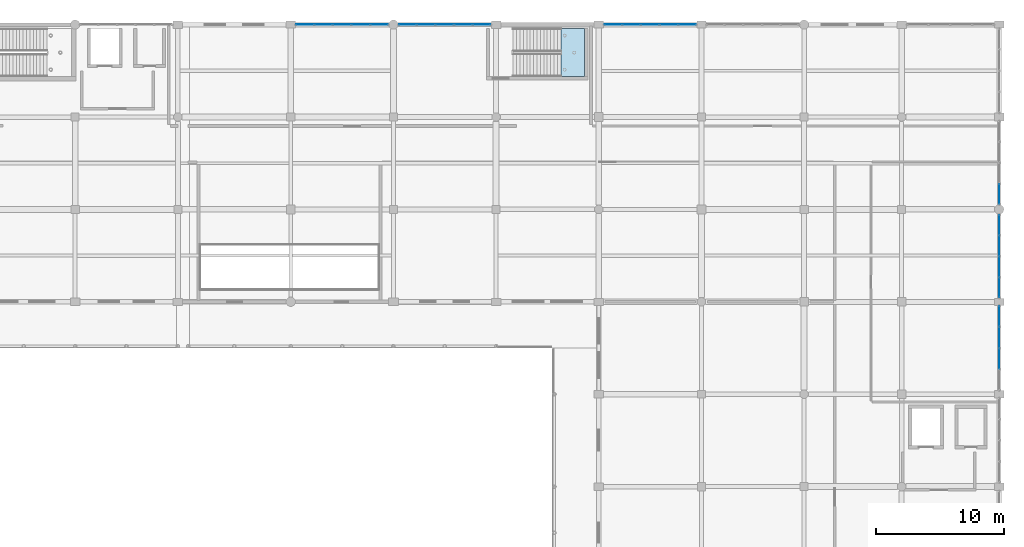
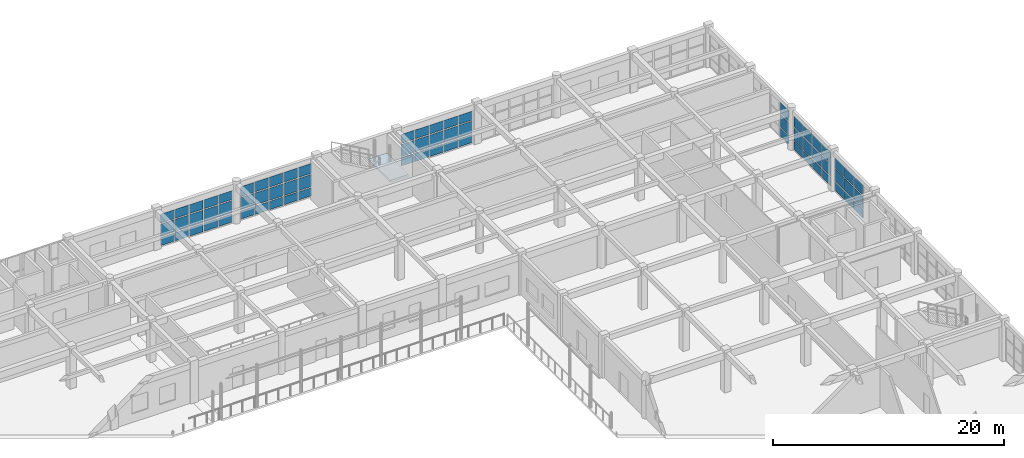
# One storey, part 120 of 160: 69 plates, 1 slab, 7 elements without a shape of their own.
"""IFC4 building model written with IfcOpenShell, lengths in metres."""

from ifc_helpers import new_model, si_unit, direction, frame, origin, origin_2d, place, context, subcontext, project, spatial, polyline, rectangle, outline, extrude, material, layer, layer_set, type_object, element, aggregate, save


model = new_model("IFC4")

# Units and contexts
model_context = context("Model", 3, precision=1e-05, world=origin(), true_north=direction((0.0, 1.0)))
body_context = subcontext(model_context, "Body", "Model", "MODEL_VIEW")
ifc_project = project(units=[si_unit("LENGTHUNIT", "METRE"), si_unit("AREAUNIT", "SQUARE_METRE"), si_unit("VOLUMEUNIT", "CUBIC_METRE"), si_unit("PLANEANGLEUNIT", "RADIAN"), si_unit("MASSUNIT", "GRAM", prefix="KILO")], contexts=[model_context])

# Site, building, storey
site_placement = place(None, origin())
site = spatial("IfcSite", under=ifc_project, at=site_placement, CompositionType="ELEMENT")
building_placement = place(site_placement, origin())
building = spatial("IfcBuilding", under=site, at=building_placement, Name="Kharva Crest Polytechnic", CompositionType="ELEMENT")
storey_placement = place(building_placement, frame((0.0, 0.0, 4.5)))
storey = spatial("IfcBuildingStorey", under=building, at=storey_placement, Name="L01", CompositionType="ELEMENT", Elevation=4.5)

# Curtain wall, plates
ifc_material_1 = material(Name="Tempered insulated glass", Category="glass")
curtain_wall_type = type_object("IfcCurtainWallType", Name="CW-SYS-COURT", PredefinedType="USERDEFINED", material=ifc_material_1)
curtain_wall_1_placement = place(storey_placement, origin())
curtain_wall_1 = element("IfcCurtainWall", 1, at=curtain_wall_1_placement, inside=storey, type_object=curtain_wall_type, Name="L01 Glazed Curtain Wall CW-064", ObjectType="CURTAIN WALL", PredefinedType="USERDEFINED")
ifc_layer_1 = layer(ifc_material_1, 0.02392578125, Name="Tempered insulated glass")
ifc_layer_set_1 = layer_set([ifc_layer_1], Name="Tempered insulated glass")
plate_type = type_object("IfcPlateType", Name="CWP-GLZ-24", PredefinedType="CURTAIN_PANEL", material=ifc_layer_set_1)
plate_1_placement = place(storey_placement, frame((184.0, 95.969970703125, 0.119873046875), z_axis=(0.0, 0.0, 1.0), x_axis=(0.0, 1.0, 0.0)))
plate_1 = element("IfcPlate", 2, at=plate_1_placement, type_object=plate_type, Name="CW-064 panel 2.1", PredefinedType="CURTAIN_PANEL", context=body_context, shape_type="SweptSolid", body=[
    extrude(rectangle(XDim=1.580078125, YDim=0.02392578125, at=origin_2d()), origin(), (0.0, 0.0, 1.0), 0.8701171875),
])
plate_2_placement = place(storey_placement, frame((184.0, 95.969970703125, 1.10986328125), z_axis=(0.0, 0.0, 1.0), x_axis=(0.0, 1.0, 0.0)))
plate_2 = element("IfcPlate", 3, at=plate_2_placement, type_object=plate_type, Name="CW-064 panel 2.2", PredefinedType="CURTAIN_PANEL", context=body_context, shape_type="SweptSolid", body=[
    extrude(rectangle(XDim=1.580078125, YDim=0.02392578125, at=origin_2d()), origin(), (0.0, 0.0, 1.0), 1.280029296875),
])
plate_3_placement = place(storey_placement, frame((184.0, 95.969970703125, 2.509765625), z_axis=(0.0, 0.0, 1.0), x_axis=(0.0, 1.0, 0.0)))
plate_3 = element("IfcPlate", 4, at=plate_3_placement, type_object=plate_type, Name="CW-064 panel 2.3", PredefinedType="CURTAIN_PANEL", context=body_context, shape_type="SweptSolid", body=[
    extrude(rectangle(XDim=1.580078125, YDim=0.02392578125, at=origin_2d()), origin(), (0.0, 0.0, 1.0), 1.070068359375),
])
plate_4_placement = place(storey_placement, frame((184.0, 97.6298828125, 0.119873046875), z_axis=(0.0, 0.0, 1.0), x_axis=(0.0, 1.0, 0.0)))
plate_4 = element("IfcPlate", 5, at=plate_4_placement, type_object=plate_type, Name="CW-064 panel 3.1", PredefinedType="CURTAIN_PANEL", context=body_context, shape_type="SweptSolid", body=[
    extrude(rectangle(XDim=1.580078125, YDim=0.02392578125, at=origin_2d()), origin(), (0.0, 0.0, 1.0), 0.8701171875),
])
plate_5_placement = place(storey_placement, frame((184.0, 97.6298828125, 1.10986328125), z_axis=(0.0, 0.0, 1.0), x_axis=(0.0, 1.0, 0.0)))
plate_5 = element("IfcPlate", 6, at=plate_5_placement, type_object=plate_type, Name="CW-064 panel 3.2", PredefinedType="CURTAIN_PANEL", context=body_context, shape_type="SweptSolid", body=[
    extrude(rectangle(XDim=1.580078125, YDim=0.02392578125, at=origin_2d()), origin(), (0.0, 0.0, 1.0), 1.280029296875),
])
plate_6_placement = place(storey_placement, frame((184.0, 97.6298828125, 2.509765625), z_axis=(0.0, 0.0, 1.0), x_axis=(0.0, 1.0, 0.0)))
plate_6 = element("IfcPlate", 7, at=plate_6_placement, type_object=plate_type, Name="CW-064 panel 3.3", PredefinedType="CURTAIN_PANEL", context=body_context, shape_type="SweptSolid", body=[
    extrude(rectangle(XDim=1.580078125, YDim=0.02392578125, at=origin_2d()), origin(), (0.0, 0.0, 1.0), 1.070068359375),
])
plate_7_placement = place(storey_placement, frame((184.0, 99.27001953125, 0.119873046875), z_axis=(0.0, 0.0, 1.0), x_axis=(0.0, 1.0, 0.0)))
plate_7 = element("IfcPlate", 8, at=plate_7_placement, type_object=plate_type, Name="CW-064 panel 4.1", PredefinedType="CURTAIN_PANEL", context=body_context, shape_type="SweptSolid", body=[
    extrude(rectangle(XDim=1.5400390625, YDim=0.02392578125, at=origin_2d()), origin(), (0.0, 0.0, 1.0), 0.8701171875),
])
plate_8_placement = place(storey_placement, frame((184.0, 99.27001953125, 1.10986328125), z_axis=(0.0, 0.0, 1.0), x_axis=(0.0, 1.0, 0.0)))
plate_8 = element("IfcPlate", 9, at=plate_8_placement, type_object=plate_type, Name="CW-064 panel 4.2", PredefinedType="CURTAIN_PANEL", context=body_context, shape_type="SweptSolid", body=[
    extrude(rectangle(XDim=1.5400390625, YDim=0.02392578125, at=origin_2d()), origin(), (0.0, 0.0, 1.0), 1.280029296875),
])
plate_9_placement = place(storey_placement, frame((184.0, 99.27001953125, 2.509765625), z_axis=(0.0, 0.0, 1.0), x_axis=(0.0, 1.0, 0.0)))
plate_9 = element("IfcPlate", 10, at=plate_9_placement, type_object=plate_type, Name="CW-064 panel 4.3", PredefinedType="CURTAIN_PANEL", context=body_context, shape_type="SweptSolid", body=[
    extrude(rectangle(XDim=1.5400390625, YDim=0.02392578125, at=origin_2d()), origin(), (0.0, 0.0, 1.0), 1.070068359375),
])
aggregate(curtain_wall_1, [plate_1, plate_2, plate_3, plate_4, plate_5, plate_6, plate_7, plate_8, plate_9])

curtain_wall_2_placement = place(storey_placement, origin())
curtain_wall_2 = element("IfcCurtainWall", 11, at=curtain_wall_2_placement, inside=storey, type_object=curtain_wall_type, Name="L01 Glazed Curtain Wall CW-065", ObjectType="CURTAIN WALL", PredefinedType="USERDEFINED")
plate_10_placement = place(storey_placement, frame((184.0, 101.519287109375, 0.119873046875), z_axis=(0.0, 0.0, 1.0), x_axis=(0.0, 1.0, 0.0)))
plate_10 = element("IfcPlate", 12, at=plate_10_placement, type_object=plate_type, Name="CW-065 panel 1.1", PredefinedType="CURTAIN_PANEL", context=body_context, shape_type="SweptSolid", body=[
    extrude(rectangle(XDim=1.518798828125, YDim=0.02392578125, at=origin_2d()), origin(), (0.0, 0.0, 1.0), 0.8701171875),
])
plate_11_placement = place(storey_placement, frame((184.0, 101.519287109375, 1.10986328125), z_axis=(0.0, 0.0, 1.0), x_axis=(0.0, 1.0, 0.0)))
plate_11 = element("IfcPlate", 13, at=plate_11_placement, type_object=plate_type, Name="CW-065 panel 1.2", PredefinedType="CURTAIN_PANEL", context=body_context, shape_type="SweptSolid", body=[
    extrude(rectangle(XDim=1.518798828125, YDim=0.02392578125, at=origin_2d()), origin(), (0.0, 0.0, 1.0), 1.280029296875),
])
plate_12_placement = place(storey_placement, frame((184.0, 101.519287109375, 2.510009765625), z_axis=(0.0, 0.0, 1.0), x_axis=(0.0, 1.0, 0.0)))
plate_12 = element("IfcPlate", 14, at=plate_12_placement, type_object=plate_type, Name="CW-065 panel 1.3", PredefinedType="CURTAIN_PANEL", context=body_context, shape_type="SweptSolid", body=[
    extrude(rectangle(XDim=1.518798828125, YDim=0.02392578125, at=origin_2d()), origin(), (0.0, 0.0, 1.0), 1.1298828125),
])
plate_13_placement = place(storey_placement, frame((184.0, 103.13818359375, 0.119873046875), z_axis=(0.0, 0.0, 1.0), x_axis=(0.0, 1.0, 0.0)))
plate_13 = element("IfcPlate", 15, at=plate_13_placement, type_object=plate_type, Name="CW-065 panel 2.1", PredefinedType="CURTAIN_PANEL", context=body_context, shape_type="SweptSolid", body=[
    extrude(rectangle(XDim=1.558837890625, YDim=0.02392578125, at=origin_2d()), origin(), (0.0, 0.0, 1.0), 0.8701171875),
])
plate_14_placement = place(storey_placement, frame((184.0, 103.13818359375, 1.10986328125), z_axis=(0.0, 0.0, 1.0), x_axis=(0.0, 1.0, 0.0)))
plate_14 = element("IfcPlate", 16, at=plate_14_placement, type_object=plate_type, Name="CW-065 panel 2.2", PredefinedType="CURTAIN_PANEL", context=body_context, shape_type="SweptSolid", body=[
    extrude(rectangle(XDim=1.558837890625, YDim=0.02392578125, at=origin_2d()), origin(), (0.0, 0.0, 1.0), 1.280029296875),
])
plate_15_placement = place(storey_placement, frame((184.0, 103.13818359375, 2.510009765625), z_axis=(0.0, 0.0, 1.0), x_axis=(0.0, 1.0, 0.0)))
plate_15 = element("IfcPlate", 17, at=plate_15_placement, type_object=plate_type, Name="CW-065 panel 2.3", PredefinedType="CURTAIN_PANEL", context=body_context, shape_type="SweptSolid", body=[
    extrude(rectangle(XDim=1.558837890625, YDim=0.02392578125, at=origin_2d()), origin(), (0.0, 0.0, 1.0), 1.1298828125),
])
plate_16_placement = place(storey_placement, frame((184.0, 104.77685546875, 0.119873046875), z_axis=(0.0, 0.0, 1.0), x_axis=(0.0, 1.0, 0.0)))
plate_16 = element("IfcPlate", 18, at=plate_16_placement, type_object=plate_type, Name="CW-065 panel 3.1", PredefinedType="CURTAIN_PANEL", context=body_context, shape_type="SweptSolid", body=[
    extrude(rectangle(XDim=1.558837890625, YDim=0.02392578125, at=origin_2d()), origin(), (0.0, 0.0, 1.0), 0.8701171875),
])
plate_17_placement = place(storey_placement, frame((184.0, 104.77685546875, 1.10986328125), z_axis=(0.0, 0.0, 1.0), x_axis=(0.0, 1.0, 0.0)))
plate_17 = element("IfcPlate", 19, at=plate_17_placement, type_object=plate_type, Name="CW-065 panel 3.2", PredefinedType="CURTAIN_PANEL", context=body_context, shape_type="SweptSolid", body=[
    extrude(rectangle(XDim=1.558837890625, YDim=0.02392578125, at=origin_2d()), origin(), (0.0, 0.0, 1.0), 1.280029296875),
])
plate_18_placement = place(storey_placement, frame((184.0, 104.77685546875, 2.510009765625), z_axis=(0.0, 0.0, 1.0), x_axis=(0.0, 1.0, 0.0)))
plate_18 = element("IfcPlate", 20, at=plate_18_placement, type_object=plate_type, Name="CW-065 panel 3.3", PredefinedType="CURTAIN_PANEL", context=body_context, shape_type="SweptSolid", body=[
    extrude(rectangle(XDim=1.558837890625, YDim=0.02392578125, at=origin_2d()), origin(), (0.0, 0.0, 1.0), 1.1298828125),
])
plate_19_placement = place(storey_placement, frame((184.0, 106.3955078125, 0.119873046875), z_axis=(0.0, 0.0, 1.0), x_axis=(0.0, 1.0, 0.0)))
plate_19 = element("IfcPlate", 21, at=plate_19_placement, type_object=plate_type, Name="CW-065 panel 4.1", PredefinedType="CURTAIN_PANEL", context=body_context, shape_type="SweptSolid", body=[
    extrude(rectangle(XDim=1.518798828125, YDim=0.02392578125, at=origin_2d()), origin(), (0.0, 0.0, 1.0), 0.8701171875),
])
plate_20_placement = place(storey_placement, frame((184.0, 106.3955078125, 1.10986328125), z_axis=(0.0, 0.0, 1.0), x_axis=(0.0, 1.0, 0.0)))
plate_20 = element("IfcPlate", 22, at=plate_20_placement, type_object=plate_type, Name="CW-065 panel 4.2", PredefinedType="CURTAIN_PANEL", context=body_context, shape_type="SweptSolid", body=[
    extrude(rectangle(XDim=1.518798828125, YDim=0.02392578125, at=origin_2d()), origin(), (0.0, 0.0, 1.0), 1.280029296875),
])
plate_21_placement = place(storey_placement, frame((184.0, 106.3955078125, 2.510009765625), z_axis=(0.0, 0.0, 1.0), x_axis=(0.0, 1.0, 0.0)))
plate_21 = element("IfcPlate", 23, at=plate_21_placement, type_object=plate_type, Name="CW-065 panel 4.3", PredefinedType="CURTAIN_PANEL", context=body_context, shape_type="SweptSolid", body=[
    extrude(rectangle(XDim=1.518798828125, YDim=0.02392578125, at=origin_2d()), origin(), (0.0, 0.0, 1.0), 1.1298828125),
])
aggregate(curtain_wall_2, [plate_10, plate_11, plate_12, plate_13, plate_14, plate_15, plate_16, plate_17, plate_18, plate_19, plate_20, plate_21])

curtain_wall_3_placement = place(storey_placement, origin())
curtain_wall_3 = element("IfcCurtainWall", 24, at=curtain_wall_3_placement, inside=storey, type_object=curtain_wall_type, Name="L01 Glazed Curtain Wall CW-066", ObjectType="CURTAIN WALL", PredefinedType="USERDEFINED")
plate_22_placement = place(storey_placement, frame((184.0, 108.80126953125, 0.119873046875), z_axis=(0.0, 0.0, 1.0), x_axis=(0.0, 1.0, 0.0)))
plate_22 = element("IfcPlate", 25, at=plate_22_placement, type_object=plate_type, Name="CW-066 panel 1.1", PredefinedType="CURTAIN_PANEL", context=body_context, shape_type="SweptSolid", body=[
    extrude(rectangle(XDim=1.512451171875, YDim=0.02392578125, at=origin_2d()), origin(), (0.0, 0.0, 1.0), 0.8701171875),
])
plate_23_placement = place(storey_placement, frame((184.0, 108.80126953125, 1.10986328125), z_axis=(0.0, 0.0, 1.0), x_axis=(0.0, 1.0, 0.0)))
plate_23 = element("IfcPlate", 26, at=plate_23_placement, type_object=plate_type, Name="CW-066 panel 1.2", PredefinedType="CURTAIN_PANEL", context=body_context, shape_type="SweptSolid", body=[
    extrude(rectangle(XDim=1.512451171875, YDim=0.02392578125, at=origin_2d()), origin(), (0.0, 0.0, 1.0), 1.280029296875),
])
plate_24_placement = place(storey_placement, frame((184.0, 108.80126953125, 2.510009765625), z_axis=(0.0, 0.0, 1.0), x_axis=(0.0, 1.0, 0.0)))
plate_24 = element("IfcPlate", 27, at=plate_24_placement, type_object=plate_type, Name="CW-066 panel 1.3", PredefinedType="CURTAIN_PANEL", context=body_context, shape_type="SweptSolid", body=[
    extrude(rectangle(XDim=1.512451171875, YDim=0.02392578125, at=origin_2d()), origin(), (0.0, 0.0, 1.0), 1.14990234375),
])
aggregate(curtain_wall_3, [plate_22, plate_23, plate_24])

curtain_wall_4_placement = place(storey_placement, origin())
curtain_wall_4 = element("IfcCurtainWall", 28, at=curtain_wall_4_placement, inside=storey, type_object=curtain_wall_type, Name="L01 Glazed Curtain Wall CW-070", ObjectType="CURTAIN WALL", PredefinedType="USERDEFINED")
plate_25_placement = place(storey_placement, frame((159.689453125, 122.0, 0.119873046875), z_axis=(0.0, 0.0, 1.0), x_axis=(-1.0, 0.0, 0.0)))
plate_25 = element("IfcPlate", 29, at=plate_25_placement, type_object=plate_type, Name="CW-070 panel 1.1", PredefinedType="CURTAIN_PANEL", context=body_context, shape_type="SweptSolid", body=[
    extrude(rectangle(XDim=1.3310546875, YDim=0.02392578125, at=origin_2d()), origin(), (0.0, 0.0, 1.0), 0.8701171875),
])
plate_26_placement = place(storey_placement, frame((159.689453125, 122.0, 1.10986328125), z_axis=(0.0, 0.0, 1.0), x_axis=(-1.0, 0.0, 0.0)))
plate_26 = element("IfcPlate", 30, at=plate_26_placement, type_object=plate_type, Name="CW-070 panel 1.2", PredefinedType="CURTAIN_PANEL", context=body_context, shape_type="SweptSolid", body=[
    extrude(rectangle(XDim=1.3310546875, YDim=0.02392578125, at=origin_2d()), origin(), (0.0, 0.0, 1.0), 1.280029296875),
])
plate_27_placement = place(storey_placement, frame((159.689453125, 122.0, 2.510009765625), z_axis=(0.0, 0.0, 1.0), x_axis=(-1.0, 0.0, 0.0)))
plate_27 = element("IfcPlate", 31, at=plate_27_placement, type_object=plate_type, Name="CW-070 panel 1.3", PredefinedType="CURTAIN_PANEL", context=body_context, shape_type="SweptSolid", body=[
    extrude(rectangle(XDim=1.3310546875, YDim=0.02392578125, at=origin_2d()), origin(), (0.0, 0.0, 1.0), 0.93994140625),
])
plate_28_placement = place(storey_placement, frame((158.258544921875, 122.0, 0.119873046875), z_axis=(0.0, 0.0, 1.0), x_axis=(-1.0, 0.0, 0.0)))
plate_28 = element("IfcPlate", 32, at=plate_28_placement, type_object=plate_type, Name="CW-070 panel 2.1", PredefinedType="CURTAIN_PANEL", context=body_context, shape_type="SweptSolid", body=[
    extrude(rectangle(XDim=1.37109375, YDim=0.02392578125, at=origin_2d()), origin(), (0.0, 0.0, 1.0), 0.8701171875),
])
plate_29_placement = place(storey_placement, frame((158.258544921875, 122.0, 1.10986328125), z_axis=(0.0, 0.0, 1.0), x_axis=(-1.0, 0.0, 0.0)))
plate_29 = element("IfcPlate", 33, at=plate_29_placement, type_object=plate_type, Name="CW-070 panel 2.2", PredefinedType="CURTAIN_PANEL", context=body_context, shape_type="SweptSolid", body=[
    extrude(rectangle(XDim=1.37109375, YDim=0.02392578125, at=origin_2d()), origin(), (0.0, 0.0, 1.0), 1.280029296875),
])
plate_30_placement = place(storey_placement, frame((158.258544921875, 122.0, 2.510009765625), z_axis=(0.0, 0.0, 1.0), x_axis=(-1.0, 0.0, 0.0)))
plate_30 = element("IfcPlate", 34, at=plate_30_placement, type_object=plate_type, Name="CW-070 panel 2.3", PredefinedType="CURTAIN_PANEL", context=body_context, shape_type="SweptSolid", body=[
    extrude(rectangle(XDim=1.37109375, YDim=0.02392578125, at=origin_2d()), origin(), (0.0, 0.0, 1.0), 0.93994140625),
])
plate_31_placement = place(storey_placement, frame((156.8076171875, 122.0, 0.119873046875), z_axis=(0.0, 0.0, 1.0), x_axis=(-1.0, 0.0, 0.0)))
plate_31 = element("IfcPlate", 35, at=plate_31_placement, type_object=plate_type, Name="CW-070 panel 3.1", PredefinedType="CURTAIN_PANEL", context=body_context, shape_type="SweptSolid", body=[
    extrude(rectangle(XDim=1.37109375, YDim=0.02392578125, at=origin_2d()), origin(), (0.0, 0.0, 1.0), 0.8701171875),
])
plate_32_placement = place(storey_placement, frame((156.8076171875, 122.0, 1.10986328125), z_axis=(0.0, 0.0, 1.0), x_axis=(-1.0, 0.0, 0.0)))
plate_32 = element("IfcPlate", 36, at=plate_32_placement, type_object=plate_type, Name="CW-070 panel 3.2", PredefinedType="CURTAIN_PANEL", context=body_context, shape_type="SweptSolid", body=[
    extrude(rectangle(XDim=1.37109375, YDim=0.02392578125, at=origin_2d()), origin(), (0.0, 0.0, 1.0), 1.280029296875),
])
plate_33_placement = place(storey_placement, frame((156.8076171875, 122.0, 2.510009765625), z_axis=(0.0, 0.0, 1.0), x_axis=(-1.0, 0.0, 0.0)))
plate_33 = element("IfcPlate", 37, at=plate_33_placement, type_object=plate_type, Name="CW-070 panel 3.3", PredefinedType="CURTAIN_PANEL", context=body_context, shape_type="SweptSolid", body=[
    extrude(rectangle(XDim=1.37109375, YDim=0.02392578125, at=origin_2d()), origin(), (0.0, 0.0, 1.0), 0.93994140625),
])
plate_34_placement = place(storey_placement, frame((155.3564453125, 122.0, 0.119873046875), z_axis=(0.0, 0.0, 1.0), x_axis=(-1.0, 0.0, 0.0)))
plate_34 = element("IfcPlate", 38, at=plate_34_placement, type_object=plate_type, Name="CW-070 panel 4.1", PredefinedType="CURTAIN_PANEL", context=body_context, shape_type="SweptSolid", body=[
    extrude(rectangle(XDim=1.37109375, YDim=0.02392578125, at=origin_2d()), origin(), (0.0, 0.0, 1.0), 0.8701171875),
])
plate_35_placement = place(storey_placement, frame((155.3564453125, 122.0, 1.10986328125), z_axis=(0.0, 0.0, 1.0), x_axis=(-1.0, 0.0, 0.0)))
plate_35 = element("IfcPlate", 39, at=plate_35_placement, type_object=plate_type, Name="CW-070 panel 4.2", PredefinedType="CURTAIN_PANEL", context=body_context, shape_type="SweptSolid", body=[
    extrude(rectangle(XDim=1.37109375, YDim=0.02392578125, at=origin_2d()), origin(), (0.0, 0.0, 1.0), 1.280029296875),
])
plate_36_placement = place(storey_placement, frame((155.3564453125, 122.0, 2.510009765625), z_axis=(0.0, 0.0, 1.0), x_axis=(-1.0, 0.0, 0.0)))
plate_36 = element("IfcPlate", 40, at=plate_36_placement, type_object=plate_type, Name="CW-070 panel 4.3", PredefinedType="CURTAIN_PANEL", context=body_context, shape_type="SweptSolid", body=[
    extrude(rectangle(XDim=1.37109375, YDim=0.02392578125, at=origin_2d()), origin(), (0.0, 0.0, 1.0), 0.93994140625),
])
plate_37_placement = place(storey_placement, frame((153.925537109375, 122.0, 0.119873046875), z_axis=(0.0, 0.0, 1.0), x_axis=(-1.0, 0.0, 0.0)))
plate_37 = element("IfcPlate", 41, at=plate_37_placement, type_object=plate_type, Name="CW-070 panel 5.1", PredefinedType="CURTAIN_PANEL", context=body_context, shape_type="SweptSolid", body=[
    extrude(rectangle(XDim=1.3310546875, YDim=0.02392578125, at=origin_2d()), origin(), (0.0, 0.0, 1.0), 0.8701171875),
])
plate_38_placement = place(storey_placement, frame((153.925537109375, 122.0, 1.10986328125), z_axis=(0.0, 0.0, 1.0), x_axis=(-1.0, 0.0, 0.0)))
plate_38 = element("IfcPlate", 42, at=plate_38_placement, type_object=plate_type, Name="CW-070 panel 5.2", PredefinedType="CURTAIN_PANEL", context=body_context, shape_type="SweptSolid", body=[
    extrude(rectangle(XDim=1.3310546875, YDim=0.02392578125, at=origin_2d()), origin(), (0.0, 0.0, 1.0), 1.280029296875),
])
plate_39_placement = place(storey_placement, frame((153.925537109375, 122.0, 2.510009765625), z_axis=(0.0, 0.0, 1.0), x_axis=(-1.0, 0.0, 0.0)))
plate_39 = element("IfcPlate", 43, at=plate_39_placement, type_object=plate_type, Name="CW-070 panel 5.3", PredefinedType="CURTAIN_PANEL", context=body_context, shape_type="SweptSolid", body=[
    extrude(rectangle(XDim=1.3310546875, YDim=0.02392578125, at=origin_2d()), origin(), (0.0, 0.0, 1.0), 0.93994140625),
])
aggregate(curtain_wall_4, [plate_25, plate_26, plate_27, plate_28, plate_29, plate_30, plate_31, plate_32, plate_33, plate_34, plate_35, plate_36, plate_37, plate_38, plate_39])

curtain_wall_5_placement = place(storey_placement, origin())
curtain_wall_5 = element("IfcCurtainWall", 44, at=curtain_wall_5_placement, inside=storey, type_object=curtain_wall_type, Name="L01 Glazed Curtain Wall CW-071", ObjectType="CURTAIN WALL", PredefinedType="USERDEFINED")
plate_40_placement = place(storey_placement, frame((143.674560546875, 122.0, 0.119873046875), z_axis=(0.0, 0.0, 1.0), x_axis=(-1.0, 0.0, 0.0)))
plate_40 = element("IfcPlate", 45, at=plate_40_placement, type_object=plate_type, Name="CW-071 panel 1.1", PredefinedType="CURTAIN_PANEL", context=body_context, shape_type="SweptSolid", body=[
    extrude(rectangle(XDim=1.3310546875, YDim=0.02392578125, at=origin_2d()), origin(), (0.0, 0.0, 1.0), 0.8701171875),
])
plate_41_placement = place(storey_placement, frame((143.674560546875, 122.0, 1.10986328125), z_axis=(0.0, 0.0, 1.0), x_axis=(-1.0, 0.0, 0.0)))
plate_41 = element("IfcPlate", 46, at=plate_41_placement, type_object=plate_type, Name="CW-071 panel 1.2", PredefinedType="CURTAIN_PANEL", context=body_context, shape_type="SweptSolid", body=[
    extrude(rectangle(XDim=1.3310546875, YDim=0.02392578125, at=origin_2d()), origin(), (0.0, 0.0, 1.0), 1.280029296875),
])
plate_42_placement = place(storey_placement, frame((143.674560546875, 122.0, 2.510009765625), z_axis=(0.0, 0.0, 1.0), x_axis=(-1.0, 0.0, 0.0)))
plate_42 = element("IfcPlate", 47, at=plate_42_placement, type_object=plate_type, Name="CW-071 panel 1.3", PredefinedType="CURTAIN_PANEL", context=body_context, shape_type="SweptSolid", body=[
    extrude(rectangle(XDim=1.3310546875, YDim=0.02392578125, at=origin_2d()), origin(), (0.0, 0.0, 1.0), 1.0400390625),
])
plate_43_placement = place(storey_placement, frame((142.243408203125, 122.0, 0.119873046875), z_axis=(0.0, 0.0, 1.0), x_axis=(-1.0, 0.0, 0.0)))
plate_43 = element("IfcPlate", 48, at=plate_43_placement, type_object=plate_type, Name="CW-071 panel 2.1", PredefinedType="CURTAIN_PANEL", context=body_context, shape_type="SweptSolid", body=[
    extrude(rectangle(XDim=1.37109375, YDim=0.02392578125, at=origin_2d()), origin(), (0.0, 0.0, 1.0), 0.8701171875),
])
plate_44_placement = place(storey_placement, frame((142.243408203125, 122.0, 1.10986328125), z_axis=(0.0, 0.0, 1.0), x_axis=(-1.0, 0.0, 0.0)))
plate_44 = element("IfcPlate", 49, at=plate_44_placement, type_object=plate_type, Name="CW-071 panel 2.2", PredefinedType="CURTAIN_PANEL", context=body_context, shape_type="SweptSolid", body=[
    extrude(rectangle(XDim=1.37109375, YDim=0.02392578125, at=origin_2d()), origin(), (0.0, 0.0, 1.0), 1.280029296875),
])
plate_45_placement = place(storey_placement, frame((142.243408203125, 122.0, 2.510009765625), z_axis=(0.0, 0.0, 1.0), x_axis=(-1.0, 0.0, 0.0)))
plate_45 = element("IfcPlate", 50, at=plate_45_placement, type_object=plate_type, Name="CW-071 panel 2.3", PredefinedType="CURTAIN_PANEL", context=body_context, shape_type="SweptSolid", body=[
    extrude(rectangle(XDim=1.37109375, YDim=0.02392578125, at=origin_2d()), origin(), (0.0, 0.0, 1.0), 1.0400390625),
])
plate_46_placement = place(storey_placement, frame((140.79248046875, 122.0, 0.119873046875), z_axis=(0.0, 0.0, 1.0), x_axis=(-1.0, 0.0, 0.0)))
plate_46 = element("IfcPlate", 51, at=plate_46_placement, type_object=plate_type, Name="CW-071 panel 3.1", PredefinedType="CURTAIN_PANEL", context=body_context, shape_type="SweptSolid", body=[
    extrude(rectangle(XDim=1.37109375, YDim=0.02392578125, at=origin_2d()), origin(), (0.0, 0.0, 1.0), 0.8701171875),
])
plate_47_placement = place(storey_placement, frame((140.79248046875, 122.0, 1.10986328125), z_axis=(0.0, 0.0, 1.0), x_axis=(-1.0, 0.0, 0.0)))
plate_47 = element("IfcPlate", 52, at=plate_47_placement, type_object=plate_type, Name="CW-071 panel 3.2", PredefinedType="CURTAIN_PANEL", context=body_context, shape_type="SweptSolid", body=[
    extrude(rectangle(XDim=1.37109375, YDim=0.02392578125, at=origin_2d()), origin(), (0.0, 0.0, 1.0), 1.280029296875),
])
plate_48_placement = place(storey_placement, frame((140.79248046875, 122.0, 2.510009765625), z_axis=(0.0, 0.0, 1.0), x_axis=(-1.0, 0.0, 0.0)))
plate_48 = element("IfcPlate", 53, at=plate_48_placement, type_object=plate_type, Name="CW-071 panel 3.3", PredefinedType="CURTAIN_PANEL", context=body_context, shape_type="SweptSolid", body=[
    extrude(rectangle(XDim=1.37109375, YDim=0.02392578125, at=origin_2d()), origin(), (0.0, 0.0, 1.0), 1.0400390625),
])
plate_49_placement = place(storey_placement, frame((139.341552734375, 122.0, 0.119873046875), z_axis=(0.0, 0.0, 1.0), x_axis=(-1.0, 0.0, 0.0)))
plate_49 = element("IfcPlate", 54, at=plate_49_placement, type_object=plate_type, Name="CW-071 panel 4.1", PredefinedType="CURTAIN_PANEL", context=body_context, shape_type="SweptSolid", body=[
    extrude(rectangle(XDim=1.37109375, YDim=0.02392578125, at=origin_2d()), origin(), (0.0, 0.0, 1.0), 0.8701171875),
])
plate_50_placement = place(storey_placement, frame((139.341552734375, 122.0, 1.10986328125), z_axis=(0.0, 0.0, 1.0), x_axis=(-1.0, 0.0, 0.0)))
plate_50 = element("IfcPlate", 55, at=plate_50_placement, type_object=plate_type, Name="CW-071 panel 4.2", PredefinedType="CURTAIN_PANEL", context=body_context, shape_type="SweptSolid", body=[
    extrude(rectangle(XDim=1.37109375, YDim=0.02392578125, at=origin_2d()), origin(), (0.0, 0.0, 1.0), 1.280029296875),
])
plate_51_placement = place(storey_placement, frame((139.341552734375, 122.0, 2.510009765625), z_axis=(0.0, 0.0, 1.0), x_axis=(-1.0, 0.0, 0.0)))
plate_51 = element("IfcPlate", 56, at=plate_51_placement, type_object=plate_type, Name="CW-071 panel 4.3", PredefinedType="CURTAIN_PANEL", context=body_context, shape_type="SweptSolid", body=[
    extrude(rectangle(XDim=1.37109375, YDim=0.02392578125, at=origin_2d()), origin(), (0.0, 0.0, 1.0), 1.0400390625),
])
plate_52_placement = place(storey_placement, frame((137.910400390625, 122.0, 0.119873046875), z_axis=(0.0, 0.0, 1.0), x_axis=(-1.0, 0.0, 0.0)))
plate_52 = element("IfcPlate", 57, at=plate_52_placement, type_object=plate_type, Name="CW-071 panel 5.1", PredefinedType="CURTAIN_PANEL", context=body_context, shape_type="SweptSolid", body=[
    extrude(rectangle(XDim=1.3310546875, YDim=0.02392578125, at=origin_2d()), origin(), (0.0, 0.0, 1.0), 0.8701171875),
])
plate_53_placement = place(storey_placement, frame((137.910400390625, 122.0, 1.10986328125), z_axis=(0.0, 0.0, 1.0), x_axis=(-1.0, 0.0, 0.0)))
plate_53 = element("IfcPlate", 58, at=plate_53_placement, type_object=plate_type, Name="CW-071 panel 5.2", PredefinedType="CURTAIN_PANEL", context=body_context, shape_type="SweptSolid", body=[
    extrude(rectangle(XDim=1.3310546875, YDim=0.02392578125, at=origin_2d()), origin(), (0.0, 0.0, 1.0), 1.280029296875),
])
plate_54_placement = place(storey_placement, frame((137.910400390625, 122.0, 2.510009765625), z_axis=(0.0, 0.0, 1.0), x_axis=(-1.0, 0.0, 0.0)))
plate_54 = element("IfcPlate", 59, at=plate_54_placement, type_object=plate_type, Name="CW-071 panel 5.3", PredefinedType="CURTAIN_PANEL", context=body_context, shape_type="SweptSolid", body=[
    extrude(rectangle(XDim=1.3310546875, YDim=0.02392578125, at=origin_2d()), origin(), (0.0, 0.0, 1.0), 1.0400390625),
])
aggregate(curtain_wall_5, [plate_40, plate_41, plate_42, plate_43, plate_44, plate_45, plate_46, plate_47, plate_48, plate_49, plate_50, plate_51, plate_52, plate_53, plate_54])

curtain_wall_6_placement = place(storey_placement, origin())
curtain_wall_6 = element("IfcCurtainWall", 60, at=curtain_wall_6_placement, inside=storey, type_object=curtain_wall_type, Name="L01 Glazed Curtain Wall CW-072", ObjectType="CURTAIN WALL", PredefinedType="USERDEFINED")
plate_55_placement = place(storey_placement, frame((135.68798828125, 122.0, 0.119873046875), z_axis=(0.0, 0.0, 1.0), x_axis=(-1.0, 0.0, 0.0)))
plate_55 = element("IfcPlate", 61, at=plate_55_placement, type_object=plate_type, Name="CW-072 panel 1.1", PredefinedType="CURTAIN_PANEL", context=body_context, shape_type="SweptSolid", body=[
    extrude(rectangle(XDim=1.333984375, YDim=0.02392578125, at=origin_2d()), origin(), (0.0, 0.0, 1.0), 0.8701171875),
])
plate_56_placement = place(storey_placement, frame((135.68798828125, 122.0, 1.10986328125), z_axis=(0.0, 0.0, 1.0), x_axis=(-1.0, 0.0, 0.0)))
plate_56 = element("IfcPlate", 62, at=plate_56_placement, type_object=plate_type, Name="CW-072 panel 1.2", PredefinedType="CURTAIN_PANEL", context=body_context, shape_type="SweptSolid", body=[
    extrude(rectangle(XDim=1.333984375, YDim=0.02392578125, at=origin_2d()), origin(), (0.0, 0.0, 1.0), 1.280029296875),
])
plate_57_placement = place(storey_placement, frame((135.68798828125, 122.0, 2.510009765625), z_axis=(0.0, 0.0, 1.0), x_axis=(-1.0, 0.0, 0.0)))
plate_57 = element("IfcPlate", 63, at=plate_57_placement, type_object=plate_type, Name="CW-072 panel 1.3", PredefinedType="CURTAIN_PANEL", context=body_context, shape_type="SweptSolid", body=[
    extrude(rectangle(XDim=1.333984375, YDim=0.02392578125, at=origin_2d()), origin(), (0.0, 0.0, 1.0), 0.93994140625),
])
plate_58_placement = place(storey_placement, frame((134.25390625, 122.0, 0.119873046875), z_axis=(0.0, 0.0, 1.0), x_axis=(-1.0, 0.0, 0.0)))
plate_58 = element("IfcPlate", 64, at=plate_58_placement, type_object=plate_type, Name="CW-072 panel 2.1", PredefinedType="CURTAIN_PANEL", context=body_context, shape_type="SweptSolid", body=[
    extrude(rectangle(XDim=1.3740234375, YDim=0.02392578125, at=origin_2d()), origin(), (0.0, 0.0, 1.0), 0.8701171875),
])
plate_59_placement = place(storey_placement, frame((134.25390625, 122.0, 1.10986328125), z_axis=(0.0, 0.0, 1.0), x_axis=(-1.0, 0.0, 0.0)))
plate_59 = element("IfcPlate", 65, at=plate_59_placement, type_object=plate_type, Name="CW-072 panel 2.2", PredefinedType="CURTAIN_PANEL", context=body_context, shape_type="SweptSolid", body=[
    extrude(rectangle(XDim=1.3740234375, YDim=0.02392578125, at=origin_2d()), origin(), (0.0, 0.0, 1.0), 1.280029296875),
])
plate_60_placement = place(storey_placement, frame((134.25390625, 122.0, 2.510009765625), z_axis=(0.0, 0.0, 1.0), x_axis=(-1.0, 0.0, 0.0)))
plate_60 = element("IfcPlate", 66, at=plate_60_placement, type_object=plate_type, Name="CW-072 panel 2.3", PredefinedType="CURTAIN_PANEL", context=body_context, shape_type="SweptSolid", body=[
    extrude(rectangle(XDim=1.3740234375, YDim=0.02392578125, at=origin_2d()), origin(), (0.0, 0.0, 1.0), 0.93994140625),
])
plate_61_placement = place(storey_placement, frame((132.800048828125, 122.0, 0.119873046875), z_axis=(0.0, 0.0, 1.0), x_axis=(-1.0, 0.0, 0.0)))
plate_61 = element("IfcPlate", 67, at=plate_61_placement, type_object=plate_type, Name="CW-072 panel 3.1", PredefinedType="CURTAIN_PANEL", context=body_context, shape_type="SweptSolid", body=[
    extrude(rectangle(XDim=1.3740234375, YDim=0.02392578125, at=origin_2d()), origin(), (0.0, 0.0, 1.0), 0.8701171875),
])
plate_62_placement = place(storey_placement, frame((132.800048828125, 122.0, 1.10986328125), z_axis=(0.0, 0.0, 1.0), x_axis=(-1.0, 0.0, 0.0)))
plate_62 = element("IfcPlate", 68, at=plate_62_placement, type_object=plate_type, Name="CW-072 panel 3.2", PredefinedType="CURTAIN_PANEL", context=body_context, shape_type="SweptSolid", body=[
    extrude(rectangle(XDim=1.3740234375, YDim=0.02392578125, at=origin_2d()), origin(), (0.0, 0.0, 1.0), 1.280029296875),
])
plate_63_placement = place(storey_placement, frame((132.800048828125, 122.0, 2.510009765625), z_axis=(0.0, 0.0, 1.0), x_axis=(-1.0, 0.0, 0.0)))
plate_63 = element("IfcPlate", 69, at=plate_63_placement, type_object=plate_type, Name="CW-072 panel 3.3", PredefinedType="CURTAIN_PANEL", context=body_context, shape_type="SweptSolid", body=[
    extrude(rectangle(XDim=1.3740234375, YDim=0.02392578125, at=origin_2d()), origin(), (0.0, 0.0, 1.0), 0.93994140625),
])
plate_64_placement = place(storey_placement, frame((131.345947265625, 122.0, 0.119873046875), z_axis=(0.0, 0.0, 1.0), x_axis=(-1.0, 0.0, 0.0)))
plate_64 = element("IfcPlate", 70, at=plate_64_placement, type_object=plate_type, Name="CW-072 panel 4.1", PredefinedType="CURTAIN_PANEL", context=body_context, shape_type="SweptSolid", body=[
    extrude(rectangle(XDim=1.3740234375, YDim=0.02392578125, at=origin_2d()), origin(), (0.0, 0.0, 1.0), 0.8701171875),
])
plate_65_placement = place(storey_placement, frame((131.345947265625, 122.0, 1.10986328125), z_axis=(0.0, 0.0, 1.0), x_axis=(-1.0, 0.0, 0.0)))
plate_65 = element("IfcPlate", 71, at=plate_65_placement, type_object=plate_type, Name="CW-072 panel 4.2", PredefinedType="CURTAIN_PANEL", context=body_context, shape_type="SweptSolid", body=[
    extrude(rectangle(XDim=1.3740234375, YDim=0.02392578125, at=origin_2d()), origin(), (0.0, 0.0, 1.0), 1.280029296875),
])
plate_66_placement = place(storey_placement, frame((131.345947265625, 122.0, 2.510009765625), z_axis=(0.0, 0.0, 1.0), x_axis=(-1.0, 0.0, 0.0)))
plate_66 = element("IfcPlate", 72, at=plate_66_placement, type_object=plate_type, Name="CW-072 panel 4.3", PredefinedType="CURTAIN_PANEL", context=body_context, shape_type="SweptSolid", body=[
    extrude(rectangle(XDim=1.3740234375, YDim=0.02392578125, at=origin_2d()), origin(), (0.0, 0.0, 1.0), 0.93994140625),
])
plate_67_placement = place(storey_placement, frame((129.912109375, 122.0, 0.119873046875), z_axis=(0.0, 0.0, 1.0), x_axis=(-1.0, 0.0, 0.0)))
plate_67 = element("IfcPlate", 73, at=plate_67_placement, type_object=plate_type, Name="CW-072 panel 5.1", PredefinedType="CURTAIN_PANEL", context=body_context, shape_type="SweptSolid", body=[
    extrude(rectangle(XDim=1.333984375, YDim=0.02392578125, at=origin_2d()), origin(), (0.0, 0.0, 1.0), 0.8701171875),
])
plate_68_placement = place(storey_placement, frame((129.912109375, 122.0, 1.10986328125), z_axis=(0.0, 0.0, 1.0), x_axis=(-1.0, 0.0, 0.0)))
plate_68 = element("IfcPlate", 74, at=plate_68_placement, type_object=plate_type, Name="CW-072 panel 5.2", PredefinedType="CURTAIN_PANEL", context=body_context, shape_type="SweptSolid", body=[
    extrude(rectangle(XDim=1.333984375, YDim=0.02392578125, at=origin_2d()), origin(), (0.0, 0.0, 1.0), 1.280029296875),
])
plate_69_placement = place(storey_placement, frame((129.912109375, 122.0, 2.510009765625), z_axis=(0.0, 0.0, 1.0), x_axis=(-1.0, 0.0, 0.0)))
plate_69 = element("IfcPlate", 75, at=plate_69_placement, type_object=plate_type, Name="CW-072 panel 5.3", PredefinedType="CURTAIN_PANEL", context=body_context, shape_type="SweptSolid", body=[
    extrude(rectangle(XDim=1.333984375, YDim=0.02392578125, at=origin_2d()), origin(), (0.0, 0.0, 1.0), 0.93994140625),
])
aggregate(curtain_wall_6, [plate_55, plate_56, plate_57, plate_58, plate_59, plate_60, plate_61, plate_62, plate_63, plate_64, plate_65, plate_66, plate_67, plate_68, plate_69])

# Stair, slab
ifc_material_2 = material(Name="Concrete C35/45", Category="concrete")
stair_type = type_object("IfcStairType", Name="STR-DOGLEG-1820", PredefinedType="TWO_STRAIGHT_RUN_STAIR", material=ifc_material_2)
stair_placement = place(storey_placement, origin())
stair = element("IfcStair", 76, at=stair_placement, inside=storey, type_object=stair_type, Name="L01 North-East Library Wing Stair C9", PredefinedType="TWO_STRAIGHT_RUN_STAIR")
ifc_layer_2 = layer(ifc_material_2, 0.199951171875, Name="Concrete C35/45")
ifc_layer_set_2 = layer_set([ifc_layer_2], Name="Concrete C35/45")
slab_type = type_object("IfcSlabType", Name="SLB-LAND-200", PredefinedType="LANDING", material=ifc_layer_set_2)
slab_placement = place(storey_placement, frame((0.0, 0.0, 2.050048828125)))
slab = element("IfcSlab", 77, at=slab_placement, type_object=slab_type, Name="ST-09 landing 1", PredefinedType="LANDING", context=body_context, shape_type="SweptSolid", body=[
    extrude(outline(polyline([(149.840087890625, 117.93994140625), (151.699951171875, 117.93994140625), (151.699951171875, 121.699951171875), (149.840087890625, 121.699951171875), (149.840087890625, 117.93994140625)])), origin(), (0.0, 0.0, 1.0), 0.199951171875),
])
aggregate(stair, [slab])

save(model, "model.ifc")
